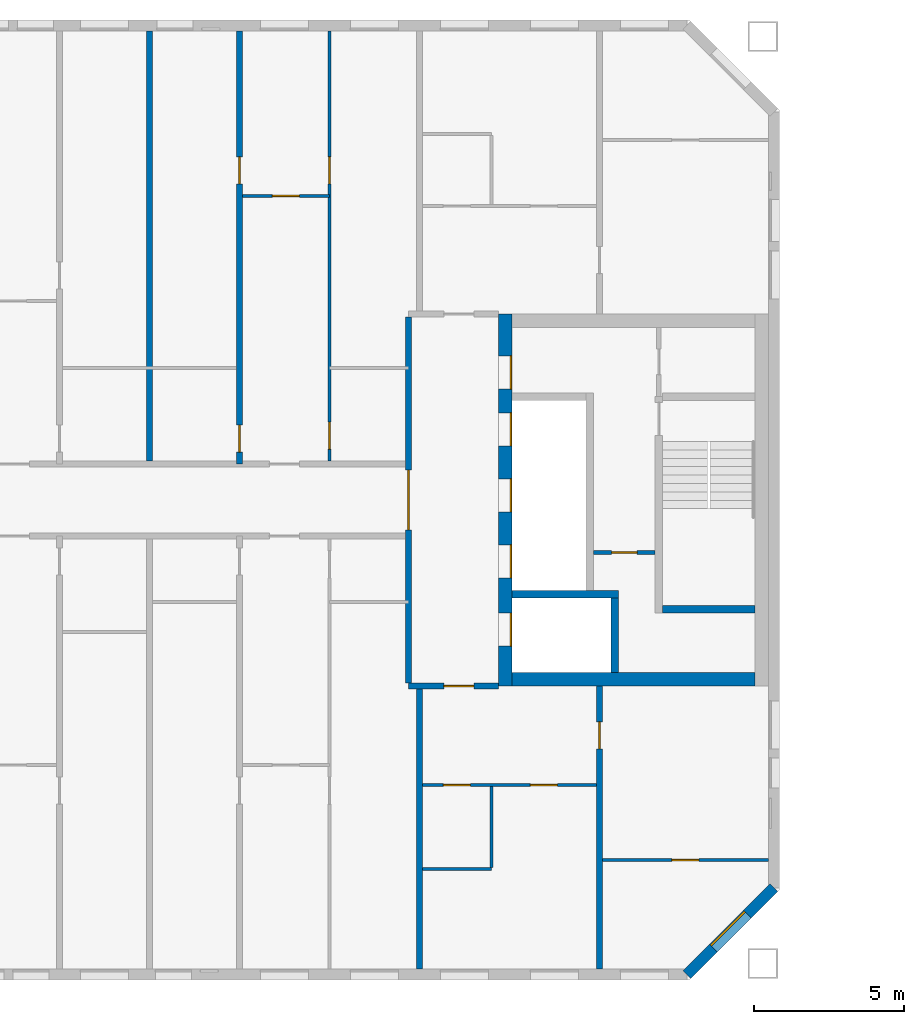
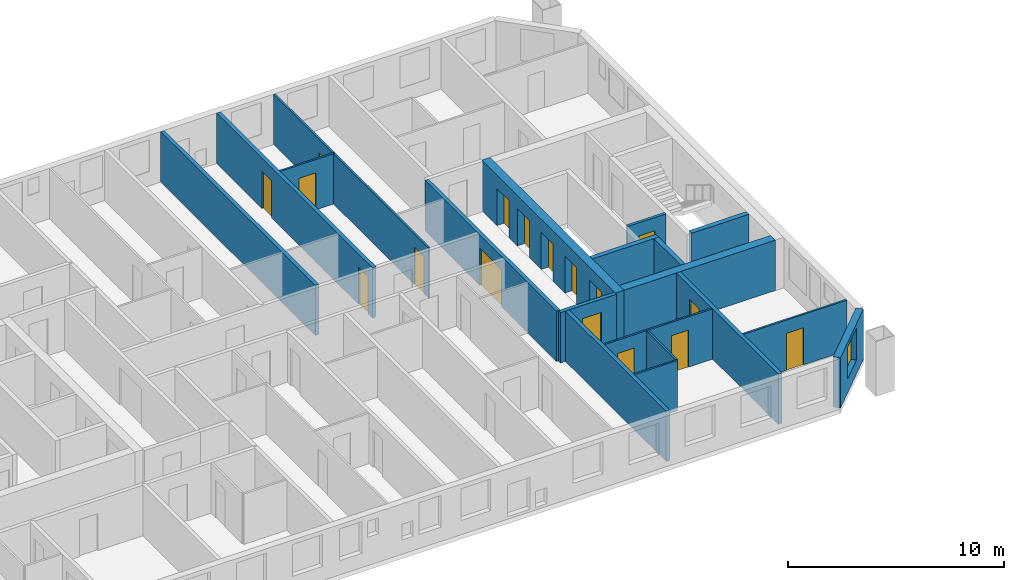
# One storey, part 6 of 15: 19 walls, 17 doors, 1 window, 18 openings.
"""IFC4 building model written with IfcOpenShell, lengths in metres."""

from ifc_helpers import new_model, si_unit, direction, frame, frame_2d, origin, place, context, subcontext, project, spatial, rectangle, extrude, material, layer, layer_set, type_object, element, fill, save


model = new_model("IFC4")

# Units and contexts
model_context = context("Model", 3, precision=1e-05, world=origin(), true_north=direction((0.0, 1.0)))
body_context = subcontext(model_context, "Body", "Model", "MODEL_VIEW")
ifc_project = project(units=[si_unit("LENGTHUNIT", "METRE"), si_unit("AREAUNIT", "SQUARE_METRE"), si_unit("VOLUMEUNIT", "CUBIC_METRE"), si_unit("PLANEANGLEUNIT", "RADIAN"), si_unit("MASSUNIT", "GRAM", prefix="KILO")], contexts=[model_context])

# Site, building, storey
site_placement = place(None, origin())
site = spatial("IfcSite", under=ifc_project, at=site_placement, CompositionType="ELEMENT")
building_placement = place(site_placement, origin())
building = spatial("IfcBuilding", under=site, at=building_placement, Name="Tuart Gate Housing", CompositionType="ELEMENT")
storey_placement = place(building_placement, frame((0.0, 0.0, 188.199951171875)))
storey = spatial("IfcBuildingStorey", under=building, at=storey_placement, Name="L53", CompositionType="ELEMENT", Elevation=188.199951171875)

# Wall, opening, window
ifc_material_1 = material(Name="Brick", Category="masonry")
ifc_layer_1 = layer(ifc_material_1, 0.360107421875)
ifc_layer_set_1 = layer_set([ifc_layer_1], Name="Brick pier and spandrel wall 360")
wall_type_1 = type_object("IfcWallType", Name="Brick pier and spandrel wall 360", PredefinedType="STANDARD", material=ifc_layer_set_1)
wall_1_placement = place(storey_placement, frame((72.92529296875, 54.179931640625, 0.0), z_axis=(0.0, 0.0, 1.0), x_axis=(0.707106781187, 0.707106781187, 0.0)))
wall_1 = element("IfcWall", 1, at=wall_1_placement, inside=storey, type_object=wall_type_1, Name="External wall A-SE L53", PredefinedType="STANDARD", context=body_context, shape_type="SweptSolid", body=[
    extrude(rectangle(XDim=4.09375, YDim=0.360107421875, at=frame_2d((2.046875, 0.0))), origin(), (0.0, 0.0, 1.0), 2.85009765625),
])
opening_1_placement = place(wall_1_placement, frame((1.2470703125, 0.0, 0.800048828125)))
opening_1 = element("IfcOpeningElement", 2, at=opening_1_placement, cuts=wall_1, Name="Opening W1", PredefinedType="OPENING", context=body_context, shape_type="SweptSolid", body=[
    extrude(rectangle(XDim=1.60009765625, YDim=1.800048828125, at=frame_2d((0.800048828125, 0.89990234375))), frame((0.0, 0.18994140625, 0.0), z_axis=(0.0, -1.0, 0.0), x_axis=(1.0, 0.0, 0.0)), (0.0, 0.0, 1.0), 0.380126953125),
])
ifc_material_2 = material(Name="Aluminium frame with clear glass", Category="aluminium")
window_type = type_object("IfcWindowType", Name="Punched window 1600 x 1800", PartitioningType="SINGLE_PANEL", PredefinedType="WINDOW", material=ifc_material_2)
window_placement = place(opening_1_placement, origin())
window = element("IfcWindow", 3, at=window_placement, inside=storey, type_object=window_type, Name="Window W1", OverallHeight=1.800048828125, OverallWidth=1.60009765625, PartitioningType="SINGLE_PANEL", PredefinedType="WINDOW", context=body_context, shape_type="SweptSolid", body=[
    extrude(rectangle(XDim=1.60009765625, YDim=1.800048828125, at=frame_2d((0.800048828125, 0.89990234375))), frame((0.0, 0.150146484375, 0.0), z_axis=(0.0, -1.0, 0.0), x_axis=(1.0, 0.0, 0.0)), (0.0, 0.0, 1.0), 0.06005859375),
])
fill(opening_1, window)

# Wall, opening, door
ifc_material_3 = material(Name="Plasterboard partition")
ifc_layer_2 = layer(ifc_material_3, 0.14990234375)
ifc_layer_set_2 = layer_set([ifc_layer_2], Name="Core partition 150")
wall_type_2 = type_object("IfcWallType", Name="Core partition 150", PredefinedType="PARTITIONING", material=ifc_layer_set_2)
wall_2_placement = place(storey_placement, frame((69.81494140625, 68.25, 0.0), z_axis=(0.0, 0.0, 1.0), x_axis=(1.0, 0.0, 0.0)))
wall_2 = element("IfcWall", 4, at=wall_2_placement, inside=storey, type_object=wall_type_2, Name="Core partition AG.3", PredefinedType="PARTITIONING", context=body_context, shape_type="SweptSolid", body=[
    extrude(rectangle(XDim=2.050048828125, YDim=0.14990234375, at=frame_2d((1.02490234375, 0.0))), origin(), (0.0, 0.0, 1.0), 2.85009765625),
])
opening_2_placement = place(wall_2_placement, frame((0.60009765625, 0.0, 0.0)))
opening_2 = element("IfcOpeningElement", 5, at=opening_2_placement, cuts=wall_2, Name="Opening D1874", PredefinedType="OPENING", context=body_context, shape_type="SweptSolid", body=[
    extrude(rectangle(XDim=0.85009765625, YDim=2.10009765625, at=frame_2d((0.425048828125, 1.050048828125))), frame((0.0, 0.0849609375, 0.0), z_axis=(0.0, -1.0, 0.0), x_axis=(1.0, 0.0, 0.0)), (0.0, 0.0, 1.0), 0.169921875),
])
ifc_material_4 = material(Name="Steel fire door", Category="steel")
door_type_1 = type_object("IfcDoorType", Name="Riser door 850 x 2100 RH", OperationType="SINGLE_SWING_RIGHT", PredefinedType="DOOR", material=ifc_material_4)
door_1_placement = place(opening_2_placement, frame((0.85009765625, 0.0, 0.0), z_axis=(0.0, 0.0, 1.0), x_axis=(-1.0, 0.0, 0.0)))
door_1 = element("IfcDoor", 6, at=door_1_placement, inside=storey, type_object=door_type_1, Name="Service room door AG.E1", OperationType="SINGLE_SWING_RIGHT", OverallHeight=2.10009765625, OverallWidth=0.85009765625, PredefinedType="DOOR", context=body_context, shape_type="SweptSolid", body=[
    extrude(rectangle(XDim=0.85009765625, YDim=2.10009765625, at=frame_2d((0.425048828125, 1.050048828125))), frame((0.0, 0.025146484375, 0.0), z_axis=(0.0, -1.0, 0.0), x_axis=(1.0, 0.0, 0.0)), (0.0, 0.0, 1.0), 0.050048828125),
])
fill(opening_2, door_1)

# Walls
ifc_material_5 = material(Name="Concrete C40", Category="concrete")
ifc_layer_3 = layer(ifc_material_5, 0.25)
ifc_layer_set_3 = layer_set([ifc_layer_3], Name="Core wall 250 C40")
wall_type_3 = type_object("IfcWallType", Name="Core wall 250 C40", PredefinedType="SHEAR", material=ifc_layer_set_3)
wall_3_placement = place(storey_placement, frame((72.114990234375, 66.35009765625, 0.0), z_axis=(0.0, 0.0, 1.0), x_axis=(1.0, 0.0, 0.0)))
element("IfcWall", 7, at=wall_3_placement, inside=storey, type_object=wall_type_3, Name="Core wall AG.1", PredefinedType="SHEAR", context=body_context, shape_type="SweptSolid", body=[
    extrude(rectangle(XDim=3.074951171875, YDim=0.25, at=frame_2d((1.53759765625, 0.0))), origin(), (0.0, 0.0, 1.0), 2.85009765625),
])
wall_4_placement = place(storey_placement, frame((67.090087890625, 66.85009765625, 0.0), z_axis=(0.0, 0.0, 1.0), x_axis=(1.0, 0.0, 0.0)))
element("IfcWall", 8, at=wall_4_placement, inside=storey, type_object=wall_type_3, Name="Core wall AG.2", PredefinedType="SHEAR", context=body_context, shape_type="SweptSolid", body=[
    extrude(rectangle(XDim=3.544921875, YDim=0.25, at=frame_2d((1.7724609375, 0.0))), origin(), (0.0, 0.0, 1.0), 2.85009765625),
])
wall_5_placement = place(storey_placement, frame((70.510009765625, 64.25, 0.0), z_axis=(0.0, 0.0, 1.0), x_axis=(0.0, 1.0, 0.0)))
element("IfcWall", 9, at=wall_5_placement, inside=storey, type_object=wall_type_3, Name="Core wall AG.7", PredefinedType="SHEAR", context=body_context, shape_type="SweptSolid", body=[
    extrude(rectangle(XDim=2.47509765625, YDim=0.25, at=frame_2d((1.237548828125, 0.0))), origin(), (0.0, 0.0, 1.0), 2.85009765625),
])

# Wall, openings, doors
ifc_material_6 = material(Name="Concrete C40", Category="concrete")
ifc_layer_4 = layer(ifc_material_6, 0.449951171875)
ifc_layer_set_4 = layer_set([ifc_layer_4], Name="Core wall 450 C40")
wall_type_4 = type_object("IfcWallType", Name="Core wall 450 C40", PredefinedType="SHEAR", material=ifc_layer_set_4)
wall_6_placement = place(storey_placement, frame((66.864990234375, 63.800048828125, 0.0), z_axis=(0.0, 0.0, 1.0), x_axis=(0.0, 1.0, 0.0)))
wall_6 = element("IfcWall", 10, at=wall_6_placement, inside=storey, type_object=wall_type_4, Name="Core wall AG front", PredefinedType="SHEAR", context=body_context, shape_type="SweptSolid", body=[
    extrude(rectangle(XDim=12.39990234375, YDim=0.449951171875, at=frame_2d((6.199951171875, 0.0))), origin(), (0.0, 0.0, 1.0), 2.85009765625),
])
opening_3_placement = place(wall_6_placement, frame((1.324951171875, 0.0, 0.0)))
opening_3 = element("IfcOpeningElement", 11, at=opening_3_placement, cuts=wall_6, Name="Opening LD-FA1", PredefinedType="OPENING", context=body_context, shape_type="SweptSolid", body=[
    extrude(rectangle(XDim=1.10009765625, YDim=2.10009765625, at=frame_2d((0.550048828125, 1.050048828125))), frame((0.0, 0.23486328125, 0.0), z_axis=(0.0, -1.0, 0.0), x_axis=(1.0, 0.0, 0.0)), (0.0, 0.0, 1.0), 0.469970703125),
])
opening_4_placement = place(wall_6_placement, frame((3.60009765625, 0.0, 0.0)))
opening_4 = element("IfcOpeningElement", 12, at=opening_4_placement, cuts=wall_6, Name="Opening LD-LA1", PredefinedType="OPENING", context=body_context, shape_type="SweptSolid", body=[
    extrude(rectangle(XDim=1.10009765625, YDim=2.10009765625, at=frame_2d((0.550048828125, 1.050048828125))), frame((0.0, 0.23486328125, 0.0), z_axis=(0.0, -1.0, 0.0), x_axis=(1.0, 0.0, 0.0)), (0.0, 0.0, 1.0), 0.469970703125),
])
opening_5_placement = place(wall_6_placement, frame((5.800048828125, 0.0, 0.0)))
opening_5 = element("IfcOpeningElement", 13, at=opening_5_placement, cuts=wall_6, Name="Opening LD-LA2", PredefinedType="OPENING", context=body_context, shape_type="SweptSolid", body=[
    extrude(rectangle(XDim=1.10009765625, YDim=2.10009765625, at=frame_2d((0.550048828125, 1.050048828125))), frame((0.0, 0.23486328125, 0.0), z_axis=(0.0, -1.0, 0.0), x_axis=(1.0, 0.0, 0.0)), (0.0, 0.0, 1.0), 0.469970703125),
])
opening_6_placement = place(wall_6_placement, frame((8.0, 0.0, 0.0)))
opening_6 = element("IfcOpeningElement", 14, at=opening_6_placement, cuts=wall_6, Name="Opening LD-LA3", PredefinedType="OPENING", context=body_context, shape_type="SweptSolid", body=[
    extrude(rectangle(XDim=1.10009765625, YDim=2.10009765625, at=frame_2d((0.550048828125, 1.050048828125))), frame((0.0, 0.23486328125, 0.0), z_axis=(0.0, -1.0, 0.0), x_axis=(1.0, 0.0, 0.0)), (0.0, 0.0, 1.0), 0.469970703125),
])
opening_7_placement = place(wall_6_placement, frame((9.89990234375, 0.0, 0.0)))
opening_7 = element("IfcOpeningElement", 15, at=opening_7_placement, cuts=wall_6, Name="Opening D1870", PredefinedType="OPENING", context=body_context, shape_type="SweptSolid", body=[
    extrude(rectangle(XDim=1.10009765625, YDim=2.10009765625, at=frame_2d((0.550048828125, 1.050048828125))), frame((0.0, 0.23486328125, 0.0), z_axis=(0.0, -1.0, 0.0), x_axis=(1.0, 0.0, 0.0)), (0.0, 0.0, 1.0), 0.469970703125),
])
ifc_material_7 = material(Name="Stainless steel", Category="steel")
door_type_2 = type_object("IfcDoorType", Name="Landing door 1100 x 2100", OperationType="DOUBLE_DOOR_SLIDING", PredefinedType="DOOR", material=ifc_material_7)
door_2_placement = place(opening_3_placement, origin())
door_2 = element("IfcDoor", 16, at=door_2_placement, inside=storey, type_object=door_type_2, Name="Lift landing door FA1", OperationType="DOUBLE_DOOR_SLIDING", OverallHeight=2.10009765625, OverallWidth=1.10009765625, PredefinedType="DOOR", context=body_context, shape_type="SweptSolid", body=[
    extrude(rectangle(XDim=1.10009765625, YDim=2.10009765625, at=frame_2d((0.550048828125, 1.050048828125))), frame((0.0, -0.16015625, 0.0), z_axis=(0.0, -1.0, 0.0), x_axis=(1.0, 0.0, 0.0)), (0.0, 0.0, 1.0), 0.050048828125),
])
fill(opening_3, door_2)
door_3_placement = place(opening_4_placement, origin())
door_3 = element("IfcDoor", 17, at=door_3_placement, inside=storey, type_object=door_type_2, Name="Lift landing door LA1", OperationType="DOUBLE_DOOR_SLIDING", OverallHeight=2.10009765625, OverallWidth=1.10009765625, PredefinedType="DOOR", context=body_context, shape_type="SweptSolid", body=[
    extrude(rectangle(XDim=1.10009765625, YDim=2.10009765625, at=frame_2d((0.550048828125, 1.050048828125))), frame((0.0, -0.16015625, 0.0), z_axis=(0.0, -1.0, 0.0), x_axis=(1.0, 0.0, 0.0)), (0.0, 0.0, 1.0), 0.050048828125),
])
fill(opening_4, door_3)
door_4_placement = place(opening_5_placement, origin())
door_4 = element("IfcDoor", 18, at=door_4_placement, inside=storey, type_object=door_type_2, Name="Lift landing door LA2", OperationType="DOUBLE_DOOR_SLIDING", OverallHeight=2.10009765625, OverallWidth=1.10009765625, PredefinedType="DOOR", context=body_context, shape_type="SweptSolid", body=[
    extrude(rectangle(XDim=1.10009765625, YDim=2.10009765625, at=frame_2d((0.550048828125, 1.050048828125))), frame((0.0, -0.16015625, 0.0), z_axis=(0.0, -1.0, 0.0), x_axis=(1.0, 0.0, 0.0)), (0.0, 0.0, 1.0), 0.050048828125),
])
fill(opening_5, door_4)
door_5_placement = place(opening_6_placement, origin())
door_5 = element("IfcDoor", 19, at=door_5_placement, inside=storey, type_object=door_type_2, Name="Lift landing door LA3", OperationType="DOUBLE_DOOR_SLIDING", OverallHeight=2.10009765625, OverallWidth=1.10009765625, PredefinedType="DOOR", context=body_context, shape_type="SweptSolid", body=[
    extrude(rectangle(XDim=1.10009765625, YDim=2.10009765625, at=frame_2d((0.550048828125, 1.050048828125))), frame((0.0, -0.16015625, 0.0), z_axis=(0.0, -1.0, 0.0), x_axis=(1.0, 0.0, 0.0)), (0.0, 0.0, 1.0), 0.050048828125),
])
fill(opening_6, door_5)
ifc_material_8 = material(Name="Steel fire door", Category="steel")
door_type_3 = type_object("IfcDoorType", Name="Lobby door 1100 x 2100 RH", OperationType="SINGLE_SWING_RIGHT", PredefinedType="DOOR", material=ifc_material_8)
door_6_placement = place(opening_7_placement, frame((1.10009765625, 0.0, 0.0), z_axis=(0.0, 0.0, 1.0), x_axis=(-1.0, 0.0, 0.0)))
door_6 = element("IfcDoor", 20, at=door_6_placement, inside=storey, type_object=door_type_3, Name="Lobby entry door AG.EN", OperationType="SINGLE_SWING_RIGHT", OverallHeight=2.10009765625, OverallWidth=1.10009765625, PredefinedType="DOOR", context=body_context, shape_type="SweptSolid", body=[
    extrude(rectangle(XDim=1.10009765625, YDim=2.10009765625, at=frame_2d((0.550048828125, 1.050048828125))), frame((0.0, 0.210205078125, 0.0), z_axis=(0.0, -1.0, 0.0), x_axis=(1.0, 0.0, 0.0)), (0.0, 0.0, 1.0), 0.050048828125),
])
fill(opening_7, door_6)

# Wall
wall_7_placement = place(storey_placement, frame((67.090087890625, 64.02490234375, 0.0), z_axis=(0.0, 0.0, 1.0), x_axis=(1.0, 0.0, 0.0)))
element("IfcWall", 21, at=wall_7_placement, inside=storey, type_object=wall_type_4, Name="Core wall AG south", PredefinedType="SHEAR", context=body_context, shape_type="SweptSolid", body=[
    extrude(rectangle(XDim=8.099853515625, YDim=0.449951171875, at=frame_2d((4.0498046875, 0.0))), origin(), (0.0, 0.0, 1.0), 2.85009765625),
])

# Wall, opening, door
ifc_material_9 = material(Name="Concrete masonry 15 MPa", Category="masonry")
ifc_layer_5 = layer(ifc_material_9, 0.199951171875)
ifc_layer_set_5 = layer_set([ifc_layer_5], Name="Enclosure wall masonry 200")
wall_type_5 = type_object("IfcWallType", Name="Enclosure wall masonry 200", PredefinedType="PARTITIONING", material=ifc_layer_set_5)
wall_8_placement = place(storey_placement, frame((63.639892578125, 63.800048828125, 0.0), z_axis=(0.0, 0.0, 1.0), x_axis=(1.0, 0.0, 0.0)))
wall_8 = element("IfcWall", 22, at=wall_8_placement, inside=storey, type_object=wall_type_5, Name="Enclosure wall masonry 200", PredefinedType="PARTITIONING", context=body_context, shape_type="SweptSolid", body=[
    extrude(rectangle(XDim=3.0, YDim=0.199951171875, at=frame_2d((1.5, 0.0))), origin(), (0.0, 0.0, 1.0), 2.85009765625),
])
opening_8_placement = place(wall_8_placement, frame((1.179931640625, 0.0, 0.0)))
opening_8 = element("IfcOpeningElement", 23, at=opening_8_placement, cuts=wall_8, Name="Opening D1877", PredefinedType="OPENING", context=body_context, shape_type="SweptSolid", body=[
    extrude(rectangle(XDim=1.0, YDim=2.10009765625, at=frame_2d((0.5, 1.050048828125))), frame((0.0, 0.10986328125, 0.0), z_axis=(0.0, -1.0, 0.0), x_axis=(1.0, 0.0, 0.0)), (0.0, 0.0, 1.0), 0.219970703125),
])
ifc_material_10 = material(Name="Timber door leaf in steel frame", Category="steel")
door_type_4 = type_object("IfcDoorType", Name="Flat entrance door 1000 RH", OperationType="SINGLE_SWING_RIGHT", PredefinedType="DOOR", material=ifc_material_10)
door_7_placement = place(opening_8_placement, frame((1.0, 0.0, 0.0), z_axis=(0.0, 0.0, 1.0), x_axis=(-1.0, 0.0, 0.0)))
door_7 = element("IfcDoor", 24, at=door_7_placement, inside=storey, type_object=door_type_4, Name="Flat entrance door", OperationType="SINGLE_SWING_RIGHT", OverallHeight=2.10009765625, OverallWidth=1.0, PredefinedType="DOOR", context=body_context, shape_type="SweptSolid", body=[
    extrude(rectangle(XDim=1.0, YDim=2.10009765625, at=frame_2d((0.5, 1.050048828125))), frame((0.0, 0.025146484375, 0.0), z_axis=(0.0, -1.0, 0.0), x_axis=(1.0, 0.0, 0.0)), (0.0, 0.0, 1.0), 0.050048828125),
])
fill(opening_8, door_7)

ifc_material_11 = material(Name="Plasterboard partition")
ifc_layer_6 = layer(ifc_material_11, 0.199951171875)
ifc_layer_set_6 = layer_set([ifc_layer_6], Name="Lobby wall 200")
wall_type_6 = type_object("IfcWallType", Name="Lobby wall 200", PredefinedType="PARTITIONING", material=ifc_layer_set_6)
wall_9_placement = place(storey_placement, frame((63.639892578125, 63.89990234375, 0.0), z_axis=(0.0, 0.0, 1.0), x_axis=(0.0, 1.0, 0.0)))
wall_9 = element("IfcWall", 25, at=wall_9_placement, inside=storey, type_object=wall_type_6, Name="Lift lobby wall AG", PredefinedType="PARTITIONING", context=body_context, shape_type="SweptSolid", body=[
    extrude(rectangle(XDim=12.2001953125, YDim=0.199951171875, at=frame_2d((6.10009765625, 0.0))), origin(), (0.0, 0.0, 1.0), 2.85009765625),
])
opening_9_placement = place(wall_9_placement, frame((5.10009765625, 0.0, 0.0)))
opening_9 = element("IfcOpeningElement", 26, at=opening_9_placement, cuts=wall_9, Name="Opening D1869", PredefinedType="OPENING", context=body_context, shape_type="SweptSolid", body=[
    extrude(rectangle(XDim=2.0, YDim=2.10009765625, at=frame_2d((1.0, 1.050048828125))), frame((0.0, 0.10986328125, 0.0), z_axis=(0.0, -1.0, 0.0), x_axis=(1.0, 0.0, 0.0)), (0.0, 0.0, 1.0), 0.219970703125),
])
ifc_material_12 = material(Name="Steel fire door", Category="steel")
door_type_5 = type_object("IfcDoorType", Name="Smoke door 2000 x 2100", OperationType="DOUBLE_DOOR_SINGLE_SWING", PredefinedType="DOOR", material=ifc_material_12)
door_8_placement = place(opening_9_placement, frame((2.0, 0.0, 0.0), z_axis=(0.0, 0.0, 1.0), x_axis=(-1.0, 0.0, 0.0)))
door_8 = element("IfcDoor", 27, at=door_8_placement, inside=storey, type_object=door_type_5, Name="Lift lobby smoke door AG", OperationType="DOUBLE_DOOR_SINGLE_SWING", OverallHeight=2.10009765625, OverallWidth=2.0, PredefinedType="DOOR", context=body_context, shape_type="SweptSolid", body=[
    extrude(rectangle(XDim=2.0, YDim=2.10009765625, at=frame_2d((1.0, 1.050048828125))), frame((0.0, 0.025146484375, 0.0), z_axis=(0.0, -1.0, 0.0), x_axis=(1.0, 0.0, 0.0)), (0.0, 0.0, 1.0), 0.050048828125),
])
fill(opening_9, door_8)

# Wall
ifc_material_13 = material(Name="Gypsum board on steel studs", Category="steel")
ifc_layer_7 = layer(ifc_material_13, 0.10009765625)
ifc_layer_set_7 = layer_set([ifc_layer_7], Name="Partition 100")
wall_type_7 = type_object("IfcWallType", Name="Partition 100", PredefinedType="PARTITIONING", material=ifc_layer_set_7)
wall_10_placement = place(storey_placement, frame((64.10009765625, 57.699951171875, 0.0), z_axis=(0.0, 0.0, 1.0), x_axis=(1.0, 0.0, 0.0)))
element("IfcWall", 28, at=wall_10_placement, inside=storey, type_object=wall_type_7, Name="Partition 100", PredefinedType="PARTITIONING", context=body_context, shape_type="SweptSolid", body=[
    extrude(rectangle(XDim=2.2998046875, YDim=0.10009765625, at=frame_2d((1.14990234375, 0.0))), origin(), (0.0, 0.0, 1.0), 2.85009765625),
])

# Wall, opening, door
wall_11_placement = place(storey_placement, frame((70.10009765625, 58.0, 0.0), z_axis=(0.0, 0.0, 1.0), x_axis=(1.0, 0.0, 0.0)))
wall_11 = element("IfcWall", 29, at=wall_11_placement, inside=storey, type_object=wall_type_7, Name="Partition 100", PredefinedType="PARTITIONING", context=body_context, shape_type="SweptSolid", body=[
    extrude(rectangle(XDim=5.539794921875, YDim=0.10009765625, at=frame_2d((2.77001953125, 0.0))), origin(), (0.0, 0.0, 1.0), 2.85009765625),
])
opening_10_placement = place(wall_11_placement, frame((2.320068359375, 0.0, 0.0)))
opening_10 = element("IfcOpeningElement", 30, at=opening_10_placement, cuts=wall_11, Name="Opening D1894", PredefinedType="OPENING", context=body_context, shape_type="SweptSolid", body=[
    extrude(rectangle(XDim=0.89990234375, YDim=2.10009765625, at=frame_2d((0.449951171875, 1.050048828125))), frame((0.0, 0.06005859375, 0.0), z_axis=(0.0, -1.0, 0.0), x_axis=(1.0, 0.0, 0.0)), (0.0, 0.0, 1.0), 0.1201171875),
])
ifc_material_14 = material(Name="Timber door leaf in steel frame", Category="steel")
door_type_6 = type_object("IfcDoorType", Name="Internal door 900", OperationType="SINGLE_SWING_LEFT", PredefinedType="DOOR", material=ifc_material_14)
door_9_placement = place(opening_10_placement, frame((0.89990234375, 0.0, 0.0), z_axis=(0.0, 0.0, 1.0), x_axis=(-1.0, 0.0, 0.0)))
door_9 = element("IfcDoor", 31, at=door_9_placement, inside=storey, type_object=door_type_6, Name="Internal door", OperationType="SINGLE_SWING_LEFT", OverallHeight=2.10009765625, OverallWidth=0.89990234375, PredefinedType="DOOR", context=body_context, shape_type="SweptSolid", body=[
    extrude(rectangle(XDim=0.89990234375, YDim=2.10009765625, at=frame_2d((0.449951171875, 1.050048828125))), frame((0.0, 0.025146484375, 0.0), z_axis=(0.0, -1.0, 0.0), x_axis=(1.0, 0.0, 0.0)), (0.0, 0.0, 1.0), 0.050048828125),
])
fill(opening_10, door_9)

# Wall, openings, doors
wall_12_placement = place(storey_placement, frame((64.10009765625, 60.5, 0.0), z_axis=(0.0, 0.0, 1.0), x_axis=(1.0, 0.0, 0.0)))
wall_12 = element("IfcWall", 32, at=wall_12_placement, inside=storey, type_object=wall_type_7, Name="Partition 100", PredefinedType="PARTITIONING", context=body_context, shape_type="SweptSolid", body=[
    extrude(rectangle(XDim=5.7998046875, YDim=0.10009765625, at=frame_2d((2.89990234375, 0.0))), origin(), (0.0, 0.0, 1.0), 2.85009765625),
])
opening_11_placement = place(wall_12_placement, frame((3.60009765625, 0.0, 0.0)))
opening_11 = element("IfcOpeningElement", 33, at=opening_11_placement, cuts=wall_12, Name="Opening D1891", PredefinedType="OPENING", context=body_context, shape_type="SweptSolid", body=[
    extrude(rectangle(XDim=0.89990234375, YDim=2.10009765625, at=frame_2d((0.449951171875, 1.050048828125))), frame((0.0, 0.06005859375, 0.0), z_axis=(0.0, -1.0, 0.0), x_axis=(1.0, 0.0, 0.0)), (0.0, 0.0, 1.0), 0.1201171875),
])
opening_12_placement = place(wall_12_placement, frame((0.699951171875, 0.0, 0.0)))
opening_12 = element("IfcOpeningElement", 34, at=opening_12_placement, cuts=wall_12, Name="Opening D1890", PredefinedType="OPENING", context=body_context, shape_type="SweptSolid", body=[
    extrude(rectangle(XDim=0.89990234375, YDim=2.10009765625, at=frame_2d((0.449951171875, 1.050048828125))), frame((0.0, 0.06005859375, 0.0), z_axis=(0.0, -1.0, 0.0), x_axis=(1.0, 0.0, 0.0)), (0.0, 0.0, 1.0), 0.1201171875),
])
ifc_material_15 = material(Name="Timber door leaf in steel frame", Category="steel")
door_type_7 = type_object("IfcDoorType", Name="Bathroom door 900", OperationType="SINGLE_SWING_LEFT", PredefinedType="DOOR", material=ifc_material_15)
door_10_placement = place(opening_12_placement, frame((0.89990234375, 0.0, 0.0), z_axis=(0.0, 0.0, 1.0), x_axis=(-1.0, 0.0, 0.0)))
door_10 = element("IfcDoor", 35, at=door_10_placement, inside=storey, type_object=door_type_7, Name="Bathroom door", OperationType="SINGLE_SWING_LEFT", OverallHeight=2.10009765625, OverallWidth=0.89990234375, PredefinedType="DOOR", context=body_context, shape_type="SweptSolid", body=[
    extrude(rectangle(XDim=0.89990234375, YDim=2.10009765625, at=frame_2d((0.449951171875, 1.050048828125))), frame((0.0, 0.025146484375, 0.0), z_axis=(0.0, -1.0, 0.0), x_axis=(1.0, 0.0, 0.0)), (0.0, 0.0, 1.0), 0.050048828125),
])
fill(opening_12, door_10)
ifc_material_16 = material(Name="Timber door leaf in steel frame", Category="steel")
door_type_8 = type_object("IfcDoorType", Name="Internal door 900 RH", OperationType="SINGLE_SWING_RIGHT", PredefinedType="DOOR", material=ifc_material_16)
door_11_placement = place(opening_11_placement, frame((0.89990234375, 0.0, 0.0), z_axis=(0.0, 0.0, 1.0), x_axis=(-1.0, 0.0, 0.0)))
door_11 = element("IfcDoor", 36, at=door_11_placement, inside=storey, type_object=door_type_8, Name="Internal door", OperationType="SINGLE_SWING_RIGHT", OverallHeight=2.10009765625, OverallWidth=0.89990234375, PredefinedType="DOOR", context=body_context, shape_type="SweptSolid", body=[
    extrude(rectangle(XDim=0.89990234375, YDim=2.10009765625, at=frame_2d((0.449951171875, 1.050048828125))), frame((0.0, 0.025146484375, 0.0), z_axis=(0.0, -1.0, 0.0), x_axis=(1.0, 0.0, 0.0)), (0.0, 0.0, 1.0), 0.050048828125),
])
fill(opening_11, door_11)

# Wall, opening, door
wall_13_placement = place(storey_placement, frame((58.10009765625, 80.139892578125, 0.0), z_axis=(0.0, 0.0, 1.0), x_axis=(1.0, 0.0, 0.0)))
wall_13 = element("IfcWall", 37, at=wall_13_placement, inside=storey, type_object=wall_type_7, Name="Partition 100", PredefinedType="PARTITIONING", context=body_context, shape_type="SweptSolid", body=[
    extrude(rectangle(XDim=2.89990234375, YDim=0.10009765625, at=frame_2d((1.449951171875, 0.0))), origin(), (0.0, 0.0, 1.0), 2.85009765625),
])
opening_13_placement = place(wall_13_placement, frame((1.0, 0.0, 0.0)))
opening_13 = element("IfcOpeningElement", 38, at=opening_13_placement, cuts=wall_13, Name="Opening D1845", PredefinedType="OPENING", context=body_context, shape_type="SweptSolid", body=[
    extrude(rectangle(XDim=0.89990234375, YDim=2.10009765625, at=frame_2d((0.449951171875, 1.050048828125))), frame((0.0, 0.06005859375, 0.0), z_axis=(0.0, -1.0, 0.0), x_axis=(1.0, 0.0, 0.0)), (0.0, 0.0, 1.0), 0.1201171875),
])
door_12_placement = place(opening_13_placement, frame((0.89990234375, 0.0, 0.0), z_axis=(0.0, 0.0, 1.0), x_axis=(-1.0, 0.0, 0.0)))
door_12 = element("IfcDoor", 39, at=door_12_placement, inside=storey, type_object=door_type_6, Name="Internal door", OperationType="SINGLE_SWING_LEFT", OverallHeight=2.10009765625, OverallWidth=0.89990234375, PredefinedType="DOOR", context=body_context, shape_type="SweptSolid", body=[
    extrude(rectangle(XDim=0.89990234375, YDim=2.10009765625, at=frame_2d((0.449951171875, 1.050048828125))), frame((0.0, 0.025146484375, 0.0), z_axis=(0.0, -1.0, 0.0), x_axis=(1.0, 0.0, 0.0)), (0.0, 0.0, 1.0), 0.050048828125),
])
fill(opening_13, door_12)

# Wall, openings, doors
wall_14_placement = place(storey_placement, frame((61.0, 71.300048828125, 0.0), z_axis=(0.0, 0.0, 1.0), x_axis=(0.0, 1.0, 0.0)))
wall_14 = element("IfcWall", 40, at=wall_14_placement, inside=storey, type_object=wall_type_7, Name="Partition 100", PredefinedType="PARTITIONING", context=body_context, shape_type="SweptSolid", body=[
    extrude(rectangle(XDim=14.33984375, YDim=0.10009765625, at=frame_2d((7.169921875, 0.0))), origin(), (0.0, 0.0, 1.0), 2.85009765625),
])
opening_14_placement = place(wall_14_placement, frame((9.239990234375, 0.0, 0.0)))
opening_14 = element("IfcOpeningElement", 41, at=opening_14_placement, cuts=wall_14, Name="Opening D1853", PredefinedType="OPENING", context=body_context, shape_type="SweptSolid", body=[
    extrude(rectangle(XDim=0.89990234375, YDim=2.10009765625, at=frame_2d((0.449951171875, 1.050048828125))), frame((0.0, 0.06005859375, 0.0), z_axis=(0.0, -1.0, 0.0), x_axis=(1.0, 0.0, 0.0)), (0.0, 0.0, 1.0), 0.1201171875),
])
opening_15_placement = place(wall_14_placement, frame((0.39990234375, 0.0, 0.0)))
opening_15 = element("IfcOpeningElement", 42, at=opening_15_placement, cuts=wall_14, Name="Opening D1852", PredefinedType="OPENING", context=body_context, shape_type="SweptSolid", body=[
    extrude(rectangle(XDim=0.89990234375, YDim=2.10009765625, at=frame_2d((0.449951171875, 1.050048828125))), frame((0.0, 0.06005859375, 0.0), z_axis=(0.0, -1.0, 0.0), x_axis=(1.0, 0.0, 0.0)), (0.0, 0.0, 1.0), 0.1201171875),
])
ifc_material_17 = material(Name="Timber door leaf in steel frame", Category="steel")
door_type_9 = type_object("IfcDoorType", Name="Bathroom door 900 RH", OperationType="SINGLE_SWING_RIGHT", PredefinedType="DOOR", material=ifc_material_17)
door_13_placement = place(opening_15_placement, frame((0.89990234375, 0.0, 0.0), z_axis=(0.0, 0.0, 1.0), x_axis=(-1.0, 0.0, 0.0)))
door_13 = element("IfcDoor", 43, at=door_13_placement, inside=storey, type_object=door_type_9, Name="Bathroom door", OperationType="SINGLE_SWING_RIGHT", OverallHeight=2.10009765625, OverallWidth=0.89990234375, PredefinedType="DOOR", context=body_context, shape_type="SweptSolid", body=[
    extrude(rectangle(XDim=0.89990234375, YDim=2.10009765625, at=frame_2d((0.449951171875, 1.050048828125))), frame((0.0, 0.025146484375, 0.0), z_axis=(0.0, -1.0, 0.0), x_axis=(1.0, 0.0, 0.0)), (0.0, 0.0, 1.0), 0.050048828125),
])
fill(opening_15, door_13)
door_14_placement = place(opening_14_placement, frame((0.89990234375, 0.0, 0.0), z_axis=(0.0, 0.0, 1.0), x_axis=(-1.0, 0.0, 0.0)))
door_14 = element("IfcDoor", 44, at=door_14_placement, inside=storey, type_object=door_type_6, Name="Internal door", OperationType="SINGLE_SWING_LEFT", OverallHeight=2.10009765625, OverallWidth=0.89990234375, PredefinedType="DOOR", context=body_context, shape_type="SweptSolid", body=[
    extrude(rectangle(XDim=0.89990234375, YDim=2.10009765625, at=frame_2d((0.449951171875, 1.050048828125))), frame((0.0, 0.025146484375, 0.0), z_axis=(0.0, -1.0, 0.0), x_axis=(1.0, 0.0, 0.0)), (0.0, 0.0, 1.0), 0.050048828125),
])
fill(opening_14, door_14)

# Wall
wall_15_placement = place(storey_placement, frame((66.39990234375, 57.75, 0.0), z_axis=(0.0, 0.0, 1.0), x_axis=(0.0, 1.0, 0.0)))
element("IfcWall", 45, at=wall_15_placement, inside=storey, type_object=wall_type_7, Name="Partition 100", PredefinedType="PARTITIONING", context=body_context, shape_type="SweptSolid", body=[
    extrude(rectangle(XDim=2.699951171875, YDim=0.10009765625, at=frame_2d((1.35009765625, 0.0))), origin(), (0.0, 0.0, 1.0), 2.85009765625),
])

# Wall, openings, doors
ifc_material_18 = material(Name="Concrete C40", Category="concrete")
ifc_layer_8 = layer(ifc_material_18, 0.199951171875)
ifc_layer_set_8 = layer_set([ifc_layer_8], Name="Party wall concrete C40 200")
wall_type_8 = type_object("IfcWallType", Name="Party wall concrete C40 200", PredefinedType="SOLIDWALL", material=ifc_layer_set_8)
wall_16_placement = place(storey_placement, frame((58.0, 71.199951171875, 0.0), z_axis=(0.0, 0.0, 1.0), x_axis=(0.0, 1.0, 0.0)))
wall_16 = element("IfcWall", 46, at=wall_16_placement, inside=storey, type_object=wall_type_8, Name="Party wall concrete C40 200", PredefinedType="SOLIDWALL", context=body_context, shape_type="SweptSolid", body=[
    extrude(rectangle(XDim=14.43994140625, YDim=0.199951171875, at=frame_2d((7.219970703125, 0.0))), origin(), (0.0, 0.0, 1.0), 2.85009765625),
])
opening_16_placement = place(wall_16_placement, frame((9.340087890625, 0.0, 0.0)))
opening_16 = element("IfcOpeningElement", 47, at=opening_16_placement, cuts=wall_16, Name="Opening D1857", PredefinedType="OPENING", context=body_context, shape_type="SweptSolid", body=[
    extrude(rectangle(XDim=0.89990234375, YDim=2.10009765625, at=frame_2d((0.449951171875, 1.050048828125))), frame((0.0, 0.10986328125, 0.0), z_axis=(0.0, -1.0, 0.0), x_axis=(1.0, 0.0, 0.0)), (0.0, 0.0, 1.0), 0.219970703125),
])
opening_17_placement = place(wall_16_placement, frame((0.39990234375, 0.0, 0.0)))
opening_17 = element("IfcOpeningElement", 48, at=opening_17_placement, cuts=wall_16, Name="Opening D1856", PredefinedType="OPENING", context=body_context, shape_type="SweptSolid", body=[
    extrude(rectangle(XDim=0.89990234375, YDim=2.10009765625, at=frame_2d((0.449951171875, 1.050048828125))), frame((0.0, 0.10986328125, 0.0), z_axis=(0.0, -1.0, 0.0), x_axis=(1.0, 0.0, 0.0)), (0.0, 0.0, 1.0), 0.219970703125),
])
door_15_placement = place(opening_17_placement, origin())
door_15 = element("IfcDoor", 49, at=door_15_placement, inside=storey, type_object=door_type_7, Name="Bathroom door", OperationType="SINGLE_SWING_LEFT", OverallHeight=2.10009765625, OverallWidth=0.89990234375, PredefinedType="DOOR", context=body_context, shape_type="SweptSolid", body=[
    extrude(rectangle(XDim=0.89990234375, YDim=2.10009765625, at=frame_2d((0.449951171875, 1.050048828125))), frame((0.0, 0.02490234375, 0.0), z_axis=(0.0, -1.0, 0.0), x_axis=(1.0, 0.0, 0.0)), (0.0, 0.0, 1.0), 0.050048828125),
])
fill(opening_17, door_15)
door_16_placement = place(opening_16_placement, origin())
door_16 = element("IfcDoor", 50, at=door_16_placement, inside=storey, type_object=door_type_8, Name="Internal door", OperationType="SINGLE_SWING_RIGHT", OverallHeight=2.10009765625, OverallWidth=0.89990234375, PredefinedType="DOOR", context=body_context, shape_type="SweptSolid", body=[
    extrude(rectangle(XDim=0.89990234375, YDim=2.10009765625, at=frame_2d((0.449951171875, 1.050048828125))), frame((0.0, 0.02490234375, 0.0), z_axis=(0.0, -1.0, 0.0), x_axis=(1.0, 0.0, 0.0)), (0.0, 0.0, 1.0), 0.050048828125),
])
fill(opening_16, door_16)

# Wall
wall_17_placement = place(storey_placement, frame((64.0, 54.360107421875, 0.0), z_axis=(0.0, 0.0, 1.0), x_axis=(0.0, 1.0, 0.0)))
element("IfcWall", 51, at=wall_17_placement, inside=storey, type_object=wall_type_8, Name="Party wall concrete C40 200", PredefinedType="SOLIDWALL", context=body_context, shape_type="SweptSolid", body=[
    extrude(rectangle(XDim=9.43994140625, YDim=0.199951171875, at=frame_2d((4.719970703125, 0.0))), origin(), (0.0, 0.0, 1.0), 2.85009765625),
])

# Wall, opening, door
wall_18_placement = place(storey_placement, frame((70.0, 54.360107421875, 0.0), z_axis=(0.0, 0.0, 1.0), x_axis=(0.0, 1.0, 0.0)))
wall_18 = element("IfcWall", 52, at=wall_18_placement, inside=storey, type_object=wall_type_8, Name="Party wall concrete C40 200", PredefinedType="SOLIDWALL", context=body_context, shape_type="SweptSolid", body=[
    extrude(rectangle(XDim=9.43994140625, YDim=0.199951171875, at=frame_2d((4.719970703125, 0.0))), origin(), (0.0, 0.0, 1.0), 2.85009765625),
])
opening_18_placement = place(wall_18_placement, frame((7.340087890625, 0.0, 0.0)))
opening_18 = element("IfcOpeningElement", 53, at=opening_18_placement, cuts=wall_18, Name="Opening D1893", PredefinedType="OPENING", context=body_context, shape_type="SweptSolid", body=[
    extrude(rectangle(XDim=0.89990234375, YDim=2.10009765625, at=frame_2d((0.449951171875, 1.050048828125))), frame((0.0, 0.10986328125, 0.0), z_axis=(0.0, -1.0, 0.0), x_axis=(1.0, 0.0, 0.0)), (0.0, 0.0, 1.0), 0.219970703125),
])
door_17_placement = place(opening_18_placement, origin())
door_17 = element("IfcDoor", 54, at=door_17_placement, inside=storey, type_object=door_type_6, Name="Internal door", OperationType="SINGLE_SWING_LEFT", OverallHeight=2.10009765625, OverallWidth=0.89990234375, PredefinedType="DOOR", context=body_context, shape_type="SweptSolid", body=[
    extrude(rectangle(XDim=0.89990234375, YDim=2.10009765625, at=frame_2d((0.449951171875, 1.050048828125))), frame((0.0, 0.02490234375, 0.0), z_axis=(0.0, -1.0, 0.0), x_axis=(1.0, 0.0, 0.0)), (0.0, 0.0, 1.0), 0.050048828125),
])
fill(opening_18, door_17)

# Wall
ifc_material_19 = material(Name="Concrete masonry 15 MPa", Category="masonry")
ifc_layer_9 = layer(ifc_material_19, 0.199951171875)
ifc_layer_set_9 = layer_set([ifc_layer_9], Name="Party wall masonry 200")
wall_type_9 = type_object("IfcWallType", Name="Party wall masonry 200", PredefinedType="PARTITIONING", material=ifc_layer_set_9)
wall_19_placement = place(storey_placement, frame((55.0, 71.300048828125, 0.0), z_axis=(0.0, 0.0, 1.0), x_axis=(0.0, 1.0, 0.0)))
element("IfcWall", 55, at=wall_19_placement, inside=storey, type_object=wall_type_9, Name="Party wall masonry 200", PredefinedType="PARTITIONING", context=body_context, shape_type="SweptSolid", body=[
    extrude(rectangle(XDim=14.33984375, YDim=0.199951171875, at=frame_2d((7.169921875, 0.0))), origin(), (0.0, 0.0, 1.0), 2.85009765625),
])

save(model, "model.ifc")
